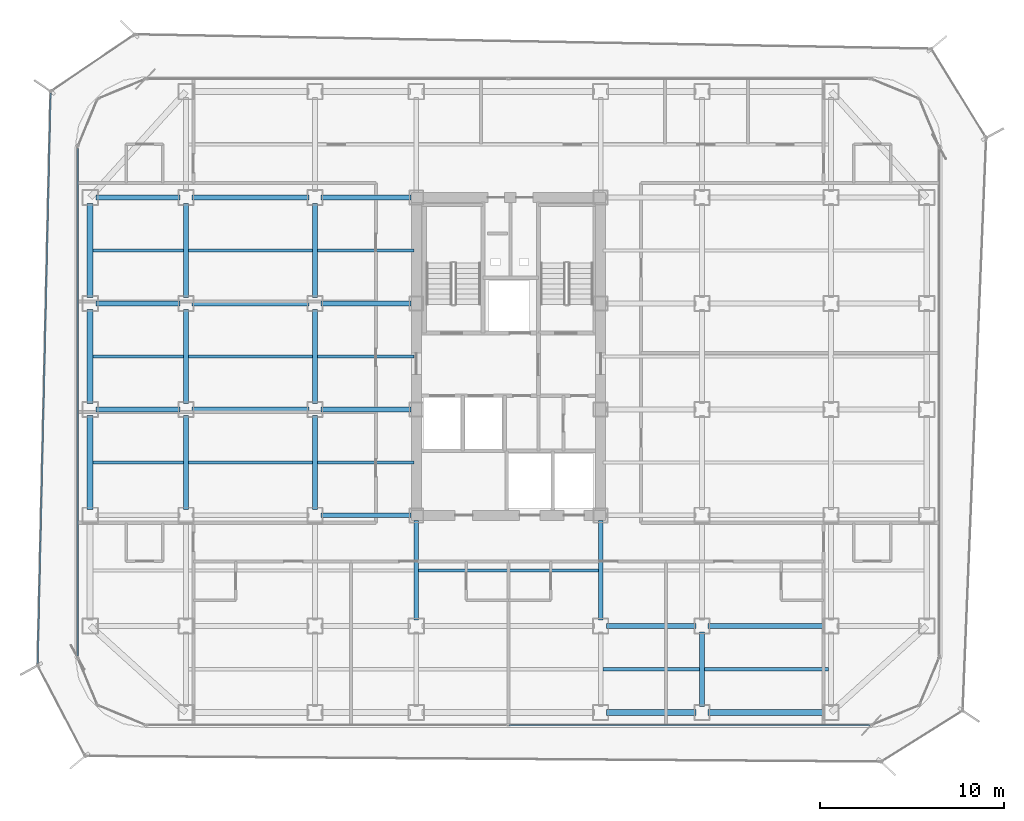
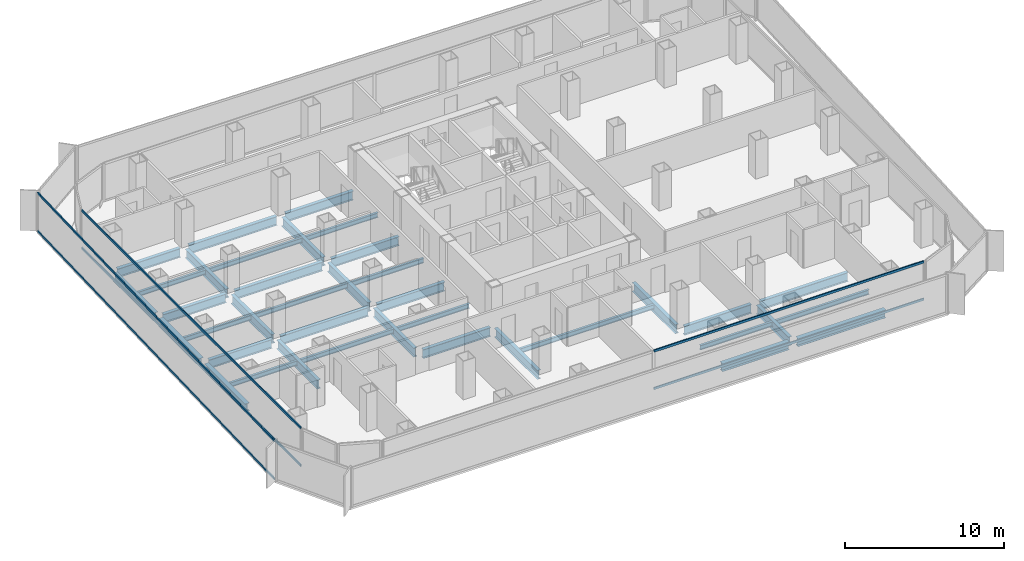
# One storey, part 5 of 21: 38 beams, 6 members, 3 elements without a shape of their own.
"""IFC4 building model written with IfcOpenShell, lengths in metres."""

from ifc_helpers import new_model, si_unit, direction, frame, origin, origin_2d, place, context, subcontext, project, spatial, hollow_rectangle, i_section, extrude, source, transform, mapped, material, layer, layer_set, material_profile, profile_set, type_object, element, aggregate, save


model = new_model("IFC4")

# Units and contexts
model_context = context("Model", 3, precision=1e-05, world=origin(), true_north=direction((0.0, 1.0)))
body_context = subcontext(model_context, "Body", "Model", "MODEL_VIEW")
ifc_project = project(units=[si_unit("LENGTHUNIT", "METRE"), si_unit("AREAUNIT", "SQUARE_METRE"), si_unit("VOLUMEUNIT", "CUBIC_METRE"), si_unit("PLANEANGLEUNIT", "RADIAN"), si_unit("MASSUNIT", "GRAM", prefix="KILO")], contexts=[model_context])

# Site, building, storey
site_placement = place(None, origin())
site = spatial("IfcSite", under=ifc_project, at=site_placement, CompositionType="ELEMENT")
building_placement = place(site_placement, origin())
building = spatial("IfcBuilding", under=site, at=building_placement, Name="Kolveth Station Tower", CompositionType="ELEMENT")
storey_placement = place(building_placement, frame((0.0, 0.0, 105.5)))
storey = spatial("IfcBuildingStorey", under=building, at=storey_placement, Name="L28", CompositionType="ELEMENT", Elevation=105.5)

# Beams
ifc_material_1 = material(Name="Steel S355", Category="steel")
ifc_material_profile_1 = material_profile(ifc_material_1, i_section(OverallWidth=0.323974609375, OverallDepth=0.611083984375, WebThickness=0.0126953125, FlangeThickness=0.01904296875, at=origin_2d()), Name="W610x155")
ifc_profile_set_1 = profile_set([ifc_material_profile_1], Name="Steel S355")
beam_type_1 = type_object("IfcBeamType", Name="Beam_SP2", PredefinedType="SPANDREL", material=ifc_profile_set_1)
shared_shape_1 = source(origin(), body_context, "Body", "SweptSolid", [
    extrude(i_section(OverallWidth=0.323974609375, OverallDepth=0.611083984375, WebThickness=0.0126953125, FlangeThickness=0.01904296875, at=origin_2d()), origin(), (0.0, 0.0, 1.0), 6.35986328125),
])
beam_1_placement = place(storey_placement, frame((34.320068359375, 0.800048828125, -0.555419921875), z_axis=(1.0, 0.0, 0.0), x_axis=(0.0, 1.0, 0.0)))
element("IfcBeam", 1, at=beam_1_placement, inside=storey, type_object=beam_type_1, Name="L28 Perimeter Spandrel BM-L28-PS-5", PredefinedType="SPANDREL", context=body_context, shape_type="MappedRepresentation", body=[
    mapped(shared_shape_1, transform((0.0, 0.0, 0.0), x_axis=(1.0, 0.0, 0.0), y_axis=(0.0, 1.0, 0.0), z_axis=(0.0, 0.0, 1.0), scale=1.0)),
])
shared_shape_2 = source(origin(), body_context, "Body", "SweptSolid", [
    extrude(i_section(OverallWidth=0.323974609375, OverallDepth=0.611083984375, WebThickness=0.0126953125, FlangeThickness=0.01904296875, at=origin_2d()), origin(), (0.0, 0.0, 1.0), 4.85986328125),
])
beam_2_placement = place(storey_placement, frame((28.820068359375, 0.800048828125, -0.555419921875), z_axis=(1.0, 0.0, 0.0), x_axis=(0.0, 1.0, 0.0)))
element("IfcBeam", 2, at=beam_2_placement, inside=storey, type_object=beam_type_1, Name="L28 Perimeter Spandrel BM-L28-PS-4", PredefinedType="SPANDREL", context=body_context, shape_type="MappedRepresentation", body=[
    mapped(shared_shape_2, transform((0.0, 0.0, 0.0), x_axis=(1.0, 0.0, 0.0), y_axis=(0.0, 1.0, 0.0), z_axis=(0.0, 0.0, 1.0), scale=1.0)),
])
shared_shape_3 = source(origin(), body_context, "Body", "SweptSolid", [
    extrude(i_section(OverallWidth=0.323974609375, OverallDepth=0.611083984375, WebThickness=0.0126953125, FlangeThickness=0.01904296875, at=origin_2d()), origin(), (0.0, 0.0, 1.0), 5.10986328125),
])
for number, where, z_axis, x_axis, name in (
    (3, (0.800048828125, 11.820068359375, -0.555419921875), (0.0, 1.0, 0.0), (-1.0, 0.0, 0.0), "L28 Perimeter Spandrel BM-L28-PW-2"),
    (4, (0.800048828125, 17.570068359375, -0.555419921875), (0.0, 1.0, 0.0), (-1.0, 0.0, 0.0), "L28 Perimeter Spandrel BM-L28-PW-3"),
    (5, (0.800048828125, 23.320068359375, -0.555419921875), (0.0, 1.0, 0.0), (-1.0, 0.0, 0.0), "L28 Perimeter Spandrel BM-L28-PW-4"),
):
    element("IfcBeam", number, at=place(storey_placement, frame(where, z_axis=z_axis, x_axis=x_axis)), inside=storey, type_object=beam_type_1, Name=name, PredefinedType="SPANDREL", context=body_context, shape_type="MappedRepresentation", body=[
        mapped(shared_shape_3, transform((0.0, 0.0, 0.0), x_axis=(1.0, 0.0, 0.0), y_axis=(0.0, 1.0, 0.0), z_axis=(0.0, 0.0, 1.0), scale=1.0)),
    ])
ifc_material_profile_2 = material_profile(ifc_material_1, i_section(OverallWidth=0.25390625, OverallDepth=0.68798828125, WebThickness=0.01318359375, FlangeThickness=0.02099609375, at=origin_2d()), Name="W690x152")
ifc_profile_set_2 = profile_set([ifc_material_profile_2], Name="Steel S355")
beam_type_2 = type_object("IfcBeamType", Name="Beam_B4", PredefinedType="BEAM", material=ifc_profile_set_2)
shared_shape_4 = source(origin(), body_context, "Body", "SweptSolid", [
    extrude(i_section(OverallWidth=0.25390625, OverallDepth=0.68798828125, WebThickness=0.01318359375, FlangeThickness=0.02099609375, at=origin_2d()), origin(), (0.0, 0.0, 1.0), 4.559814453125),
])
for number, where, z_axis, x_axis, name in (
    (6, (1.1201171875, 17.25, -0.593994140625), (1.0, 0.0, 0.0), (0.0, 1.0, 0.0), "L28 Primary Girder BM-L28-GY172-1"),
    (7, (1.1201171875, 23.0, -0.593994140625), (1.0, 0.0, 0.0), (0.0, 1.0, 0.0), "L28 Primary Girder BM-L28-GY230-1"),
    (8, (1.1201171875, 28.75, -0.593994140625), (1.0, 0.0, 0.0), (0.0, 1.0, 0.0), "L28 Primary Girder BM-L28-GY287-1"),
):
    element("IfcBeam", number, at=place(storey_placement, frame(where, z_axis=z_axis, x_axis=x_axis)), inside=storey, type_object=beam_type_2, Name=name, PredefinedType="BEAM", context=body_context, shape_type="MappedRepresentation", body=[
        mapped(shared_shape_4, transform((0.0, 0.0, 0.0), x_axis=(1.0, 0.0, 0.0), y_axis=(0.0, 1.0, 0.0), z_axis=(0.0, 0.0, 1.0), scale=1.0)),
    ])
shared_shape_5 = source(origin(), body_context, "Body", "SweptSolid", [
    extrude(i_section(OverallWidth=0.25390625, OverallDepth=0.68798828125, WebThickness=0.01318359375, FlangeThickness=0.02099609375, at=origin_2d()), origin(), (0.0, 0.0, 1.0), 6.35986328125),
])
for number, where, z_axis, x_axis, name in (
    (9, (34.320068359375, 5.5, -0.593994140625), (1.0, 0.0, 0.0), (0.0, 1.0, 0.0), "L28 Primary Girder BM-L28-GY55-6"),
    (10, (6.320068359375, 17.25, -0.593994140625), (1.0, 0.0, 0.0), (0.0, 1.0, 0.0), "L28 Primary Girder BM-L28-GY172-2"),
    (11, (6.320068359375, 23.0, -0.593994140625), (1.0, 0.0, 0.0), (0.0, 1.0, 0.0), "L28 Primary Girder BM-L28-GY230-2"),
    (12, (6.320068359375, 28.75, -0.593994140625), (1.0, 0.0, 0.0), (0.0, 1.0, 0.0), "L28 Primary Girder BM-L28-GY287-2"),
):
    element("IfcBeam", number, at=place(storey_placement, frame(where, z_axis=z_axis, x_axis=x_axis)), inside=storey, type_object=beam_type_2, Name=name, PredefinedType="BEAM", context=body_context, shape_type="MappedRepresentation", body=[
        mapped(shared_shape_5, transform((0.0, 0.0, 0.0), x_axis=(1.0, 0.0, 0.0), y_axis=(0.0, 1.0, 0.0), z_axis=(0.0, 0.0, 1.0), scale=1.0)),
    ])
shared_shape_6 = source(origin(), body_context, "Body", "SweptSolid", [
    extrude(i_section(OverallWidth=0.25390625, OverallDepth=0.68798828125, WebThickness=0.01318359375, FlangeThickness=0.02099609375, at=origin_2d()), origin(), (0.0, 0.0, 1.0), 4.85986328125),
])
beam_3_placement = place(storey_placement, frame((28.820068359375, 5.5, -0.593994140625), z_axis=(1.0, 0.0, 0.0), x_axis=(0.0, 1.0, 0.0)))
element("IfcBeam", 13, at=beam_3_placement, inside=storey, type_object=beam_type_2, Name="L28 Primary Girder BM-L28-GY55-5", PredefinedType="BEAM", context=body_context, shape_type="MappedRepresentation", body=[
    mapped(shared_shape_6, transform((0.0, 0.0, 0.0), x_axis=(1.0, 0.0, 0.0), y_axis=(0.0, 1.0, 0.0), z_axis=(0.0, 0.0, 1.0), scale=1.0)),
])
shared_shape_7 = source(origin(), body_context, "Body", "SweptSolid", [
    extrude(i_section(OverallWidth=0.25390625, OverallDepth=0.68798828125, WebThickness=0.01318359375, FlangeThickness=0.02099609375, at=origin_2d()), origin(), (0.0, 0.0, 1.0), 4.89990234375),
])
for number, where, z_axis, x_axis, name in (
    (14, (13.320068359375, 11.5, -0.593994140625), (1.0, 0.0, 0.0), (0.0, 1.0, 0.0), "L28 Primary Girder BM-L28-GY115-3"),
    (15, (13.320068359375, 17.25, -0.593994140625), (1.0, 0.0, 0.0), (0.0, 1.0, 0.0), "L28 Primary Girder BM-L28-GY172-3"),
    (16, (13.320068359375, 23.0, -0.593994140625), (1.0, 0.0, 0.0), (0.0, 1.0, 0.0), "L28 Primary Girder BM-L28-GY230-3"),
    (17, (13.320068359375, 28.75, -0.593994140625), (1.0, 0.0, 0.0), (0.0, 1.0, 0.0), "L28 Primary Girder BM-L28-GY287-3"),
):
    element("IfcBeam", number, at=place(storey_placement, frame(where, z_axis=z_axis, x_axis=x_axis)), inside=storey, type_object=beam_type_2, Name=name, PredefinedType="BEAM", context=body_context, shape_type="MappedRepresentation", body=[
        mapped(shared_shape_7, transform((0.0, 0.0, 0.0), x_axis=(1.0, 0.0, 0.0), y_axis=(0.0, 1.0, 0.0), z_axis=(0.0, 0.0, 1.0), scale=1.0)),
    ])
shared_shape_8 = source(origin(), body_context, "Body", "SweptSolid", [
    extrude(i_section(OverallWidth=0.25390625, OverallDepth=0.68798828125, WebThickness=0.01318359375, FlangeThickness=0.02099609375, at=origin_2d()), origin(), (0.0, 0.0, 1.0), 4.059814453125),
])
beam_4_placement = place(storey_placement, frame((34.0, 1.1201171875, -0.593994140625), z_axis=(0.0, 1.0, 0.0), x_axis=(-1.0, 0.0, 0.0)))
element("IfcBeam", 18, at=beam_4_placement, inside=storey, type_object=beam_type_2, Name="L28 Primary Girder BM-L28-GX340-1", PredefinedType="BEAM", context=body_context, shape_type="MappedRepresentation", body=[
    mapped(shared_shape_8, transform((0.0, 0.0, 0.0), x_axis=(1.0, 0.0, 0.0), y_axis=(0.0, 1.0, 0.0), z_axis=(0.0, 0.0, 1.0), scale=1.0)),
])
shared_shape_9 = source(origin(), body_context, "Body", "SweptSolid", [
    extrude(i_section(OverallWidth=0.25390625, OverallDepth=0.68798828125, WebThickness=0.01318359375, FlangeThickness=0.02099609375, at=origin_2d()), origin(), (0.0, 0.0, 1.0), 5.10986328125),
])
for number, where, z_axis, x_axis, name in (
    (19, (6.0, 11.820068359375, -0.593994140625), (0.0, 1.0, 0.0), (-1.0, 0.0, 0.0), "L28 Primary Girder BM-L28-GX60-3"),
    (20, (6.0, 17.570068359375, -0.593994140625), (0.0, 1.0, 0.0), (-1.0, 0.0, 0.0), "L28 Primary Girder BM-L28-GX60-4"),
    (21, (6.0, 23.320068359375, -0.593994140625), (0.0, 1.0, 0.0), (-1.0, 0.0, 0.0), "L28 Primary Girder BM-L28-GX60-5"),
    (22, (13.0, 11.820068359375, -0.593994140625), (0.0, 1.0, 0.0), (-1.0, 0.0, 0.0), "L28 Primary Girder BM-L28-GX130-3"),
    (23, (13.0, 17.570068359375, -0.593994140625), (0.0, 1.0, 0.0), (-1.0, 0.0, 0.0), "L28 Primary Girder BM-L28-GX130-4"),
    (24, (13.0, 23.320068359375, -0.593994140625), (0.0, 1.0, 0.0), (-1.0, 0.0, 0.0), "L28 Primary Girder BM-L28-GX130-5"),
):
    element("IfcBeam", number, at=place(storey_placement, frame(where, z_axis=z_axis, x_axis=x_axis)), inside=storey, type_object=beam_type_2, Name=name, PredefinedType="BEAM", context=body_context, shape_type="MappedRepresentation", body=[
        mapped(shared_shape_9, transform((0.0, 0.0, 0.0), x_axis=(1.0, 0.0, 0.0), y_axis=(0.0, 1.0, 0.0), z_axis=(0.0, 0.0, 1.0), scale=1.0)),
    ])
shared_shape_10 = source(origin(), body_context, "Body", "SweptSolid", [
    extrude(i_section(OverallWidth=0.25390625, OverallDepth=0.68798828125, WebThickness=0.01318359375, FlangeThickness=0.02099609375, at=origin_2d()), origin(), (0.0, 0.0, 1.0), 5.39990234375),
])
for number, where, z_axis, x_axis, name in (
    (25, (18.5, 5.820068359375, -0.593994140625), (0.0, 1.0, 0.0), (-1.0, 0.0, 0.0), "L28 Primary Girder BM-L28-GX185-2"),
    (26, (28.5, 5.820068359375, -0.593994140625), (0.0, 1.0, 0.0), (-1.0, 0.0, 0.0), "L28 Primary Girder BM-L28-GX285-2"),
):
    element("IfcBeam", number, at=place(storey_placement, frame(where, z_axis=z_axis, x_axis=x_axis)), inside=storey, type_object=beam_type_2, Name=name, PredefinedType="BEAM", context=body_context, shape_type="MappedRepresentation", body=[
        mapped(shared_shape_10, transform((0.0, 0.0, 0.0), x_axis=(1.0, 0.0, 0.0), y_axis=(0.0, 1.0, 0.0), z_axis=(0.0, 0.0, 1.0), scale=1.0)),
    ])
ifc_material_profile_3 = material_profile(ifc_material_1, i_section(OverallWidth=0.1708984375, OverallDepth=0.35205078125, WebThickness=0.0068359375, FlangeThickness=0.009765625, at=origin_2d()), Name="W360x44")
ifc_profile_set_3 = profile_set([ifc_material_profile_3], Name="Steel S355")
beam_type_3 = type_object("IfcBeamType", Name="Beam_J2", PredefinedType="JOIST", material=ifc_profile_set_3)
shared_shape_11 = source(origin(), body_context, "Body", "SweptSolid", [
    extrude(i_section(OverallWidth=0.1708984375, OverallDepth=0.35205078125, WebThickness=0.0068359375, FlangeThickness=0.009765625, at=origin_2d()), origin(), (0.0, 0.0, 1.0), 4.9150390625),
])
for number, where, z_axis, x_axis, name in (
    (27, (0.9599609375, 14.375, -0.426025390625), (1.0, 0.0, 0.0), (0.0, 1.0, 0.0), "L28 Secondary Joist JST-L28-1-3"),
    (28, (0.9599609375, 20.125, -0.426025390625), (1.0, 0.0, 0.0), (0.0, 1.0, 0.0), "L28 Secondary Joist JST-L28-1-4"),
    (29, (0.9599609375, 25.875, -0.426025390625), (1.0, 0.0, 0.0), (0.0, 1.0, 0.0), "L28 Secondary Joist JST-L28-1-5"),
):
    element("IfcBeam", number, at=place(storey_placement, frame(where, z_axis=z_axis, x_axis=x_axis)), inside=storey, type_object=beam_type_3, Name=name, PredefinedType="JOIST", context=body_context, shape_type="MappedRepresentation", body=[
        mapped(shared_shape_11, transform((0.0, 0.0, 0.0), x_axis=(1.0, 0.0, 0.0), y_axis=(0.0, 1.0, 0.0), z_axis=(0.0, 0.0, 1.0), scale=1.0)),
    ])
shared_shape_12 = source(origin(), body_context, "Body", "SweptSolid", [
    extrude(i_section(OverallWidth=0.1708984375, OverallDepth=0.35205078125, WebThickness=0.0068359375, FlangeThickness=0.009765625, at=origin_2d()), origin(), (0.0, 0.0, 1.0), 6.75),
])
for number, where, z_axis, x_axis, name in (
    (30, (6.125, 14.375, -0.426025390625), (1.0, 0.0, 0.0), (0.0, 1.0, 0.0), "L28 Secondary Joist JST-L28-2-3"),
    (31, (6.125, 20.125, -0.426025390625), (1.0, 0.0, 0.0), (0.0, 1.0, 0.0), "L28 Secondary Joist JST-L28-2-4"),
    (32, (6.125, 25.875, -0.426025390625), (1.0, 0.0, 0.0), (0.0, 1.0, 0.0), "L28 Secondary Joist JST-L28-2-5"),
    (33, (34.125, 3.14990234375, -0.426025390625), (1.0, 0.0, 0.0), (0.0, 1.0, 0.0), "L28 Secondary Joist JST-L28-6-1"),
):
    element("IfcBeam", number, at=place(storey_placement, frame(where, z_axis=z_axis, x_axis=x_axis)), inside=storey, type_object=beam_type_3, Name=name, PredefinedType="JOIST", context=body_context, shape_type="MappedRepresentation", body=[
        mapped(shared_shape_12, transform((0.0, 0.0, 0.0), x_axis=(1.0, 0.0, 0.0), y_axis=(0.0, 1.0, 0.0), z_axis=(0.0, 0.0, 1.0), scale=1.0)),
    ])
shared_shape_13 = source(origin(), body_context, "Body", "SweptSolid", [
    extrude(i_section(OverallWidth=0.1708984375, OverallDepth=0.35205078125, WebThickness=0.0068359375, FlangeThickness=0.009765625, at=origin_2d()), origin(), (0.0, 0.0, 1.0), 5.25),
])
for number, where, z_axis, x_axis, name in (
    (34, (13.125, 14.375, -0.426025390625), (1.0, 0.0, 0.0), (0.0, 1.0, 0.0), "L28 Secondary Joist JST-L28-3-3"),
    (35, (13.125, 20.125, -0.426025390625), (1.0, 0.0, 0.0), (0.0, 1.0, 0.0), "L28 Secondary Joist JST-L28-3-4"),
    (36, (13.125, 25.875, -0.426025390625), (1.0, 0.0, 0.0), (0.0, 1.0, 0.0), "L28 Secondary Joist JST-L28-3-5"),
    (37, (28.625, 3.14990234375, -0.426025390625), (1.0, 0.0, 0.0), (0.0, 1.0, 0.0), "L28 Secondary Joist JST-L28-5-1"),
):
    element("IfcBeam", number, at=place(storey_placement, frame(where, z_axis=z_axis, x_axis=x_axis)), inside=storey, type_object=beam_type_3, Name=name, PredefinedType="JOIST", context=body_context, shape_type="MappedRepresentation", body=[
        mapped(shared_shape_13, transform((0.0, 0.0, 0.0), x_axis=(1.0, 0.0, 0.0), y_axis=(0.0, 1.0, 0.0), z_axis=(0.0, 0.0, 1.0), scale=1.0)),
    ])
shared_shape_14 = source(origin(), body_context, "Body", "SweptSolid", [
    extrude(i_section(OverallWidth=0.1708984375, OverallDepth=0.35205078125, WebThickness=0.0068359375, FlangeThickness=0.009765625, at=origin_2d()), origin(), (0.0, 0.0, 1.0), 9.75),
])
beam_5_placement = place(storey_placement, frame((18.625, 8.5, -0.426025390625), z_axis=(1.0, 0.0, 0.0), x_axis=(0.0, 1.0, 0.0)))
element("IfcBeam", 38, at=beam_5_placement, inside=storey, type_object=beam_type_3, Name="L28 Secondary Joist JST-L28-4-2", PredefinedType="JOIST", context=body_context, shape_type="MappedRepresentation", body=[
    mapped(shared_shape_14, transform((0.0, 0.0, 0.0), x_axis=(1.0, 0.0, 0.0), y_axis=(0.0, 1.0, 0.0), z_axis=(0.0, 0.0, 1.0), scale=1.0)),
])

# Curtain wall, members
ifc_material_2 = material(Name="Aluminium 6063-T6 and low-E dark glass", Category="aluminium")
ifc_layer_1 = layer(ifc_material_2, 0.18994140625)
ifc_layer_set_1 = layer_set([ifc_layer_1], Name="Aluminium 6063-T6 and low-E dark glass")
curtain_wall_type_1 = type_object("IfcCurtainWallType", Name="CurtainWall_CW-Z2", PredefinedType="NOTDEFINED", material=ifc_layer_set_1)
curtain_wall_1_placement = place(storey_placement, origin())
curtain_wall_1 = element("IfcCurtainWall", 39, at=curtain_wall_1_placement, inside=storey, type_object=curtain_wall_type_1, Name="L28 Inner Thermal Curtain Wall 9", PredefinedType="NOTDEFINED")
ifc_material_3 = material(Name="Black anodized aluminium 6063-T6", Category="aluminium")
ifc_material_profile_4 = material_profile(ifc_material_3, hollow_rectangle(XDim=0.080078125, YDim=0.169921875, WallThickness=0.0048828125, at=origin_2d()), Name="ALU-80x170x5")
ifc_profile_set_4 = profile_set([ifc_material_profile_4], Name="Black anodized aluminium 6063-T6")
member_type_1 = type_object("IfcMemberType", Name="Transom_TR2", PredefinedType="USERDEFINED", material=ifc_profile_set_4)
shared_shape_15 = source(origin(), body_context, "Body", "SweptSolid", [
    extrude(hollow_rectangle(XDim=0.080078125, YDim=0.169921875, WallThickness=0.0048828125, at=origin_2d()), origin(), (0.0, 0.0, 1.0), 27.5400390625),
])
member_1_placement = place(storey_placement, frame((0.1201171875, 31.419921875, 0.0400390625), z_axis=(0.0, -1.0, 0.0), x_axis=(1.0, 0.0, 0.0)))
member_1 = element("IfcMember", 40, at=member_1_placement, type_object=member_type_1, Name="CW-Z2 transom 1.1", ObjectType="TRANSOM", PredefinedType="USERDEFINED", context=body_context, shape_type="MappedRepresentation", body=[
    mapped(shared_shape_15, transform((0.0, 0.0, 0.0), x_axis=(1.0, 0.0, 0.0), y_axis=(0.0, 1.0, 0.0), z_axis=(0.0, 0.0, 1.0), scale=1.0)),
])
member_2_placement = place(storey_placement, frame((0.1201171875, 31.419921875, 2.909912109375), z_axis=(0.0, -1.0, 0.0), x_axis=(1.0, 0.0, 0.0)))
member_2 = element("IfcMember", 41, at=member_2_placement, type_object=member_type_1, Name="CW-Z2 transom 1.2", ObjectType="TRANSOM", PredefinedType="USERDEFINED", context=body_context, shape_type="MappedRepresentation", body=[
    mapped(shared_shape_15, transform((0.0, 0.0, 0.0), x_axis=(1.0, 0.0, 0.0), y_axis=(0.0, 1.0, 0.0), z_axis=(0.0, 0.0, 1.0), scale=1.0)),
])
aggregate(curtain_wall_1, [member_1, member_2])

curtain_wall_2_placement = place(storey_placement, origin())
curtain_wall_2 = element("IfcCurtainWall", 42, at=curtain_wall_2_placement, inside=storey, type_object=curtain_wall_type_1, Name="L28 Inner Thermal Curtain Wall 12", PredefinedType="NOTDEFINED")
shared_shape_16 = source(origin(), body_context, "Body", "SweptSolid", [
    extrude(hollow_rectangle(XDim=0.080078125, YDim=0.169921875, WallThickness=0.0048828125, at=origin_2d()), origin(), (0.0, 0.0, 1.0), 19.580078125),
])
member_3_placement = place(storey_placement, frame((23.5400390625, 0.1201171875, 0.0400390625), z_axis=(1.0, 0.0, 0.0), x_axis=(0.0, 1.0, 0.0)))
member_3 = element("IfcMember", 43, at=member_3_placement, type_object=member_type_1, Name="CW-Z2 transom 2.1", ObjectType="TRANSOM", PredefinedType="USERDEFINED", context=body_context, shape_type="MappedRepresentation", body=[
    mapped(shared_shape_16, transform((0.0, 0.0, 0.0), x_axis=(1.0, 0.0, 0.0), y_axis=(0.0, 1.0, 0.0), z_axis=(0.0, 0.0, 1.0), scale=1.0)),
])
member_4_placement = place(storey_placement, frame((23.5400390625, 0.1201171875, 2.909912109375), z_axis=(1.0, 0.0, 0.0), x_axis=(0.0, 1.0, 0.0)))
member_4 = element("IfcMember", 44, at=member_4_placement, type_object=member_type_1, Name="CW-Z2 transom 2.2", ObjectType="TRANSOM", PredefinedType="USERDEFINED", context=body_context, shape_type="MappedRepresentation", body=[
    mapped(shared_shape_16, transform((0.0, 0.0, 0.0), x_axis=(1.0, 0.0, 0.0), y_axis=(0.0, 1.0, 0.0), z_axis=(0.0, 0.0, 1.0), scale=1.0)),
])
aggregate(curtain_wall_2, [member_3, member_4])

ifc_material_4 = material(Name="Black anodized aluminium 6063-T6 and dark solar glass", Category="aluminium")
ifc_layer_2 = layer(ifc_material_4, 0.159912109375)
ifc_layer_set_2 = layer_set([ifc_layer_2], Name="Black anodized aluminium 6063-T6 and dark solar glass")
curtain_wall_type_2 = type_object("IfcCurtainWallType", Name="OUTER SKIN CW-OS", PredefinedType="NOTDEFINED", material=ifc_layer_set_2)
curtain_wall_3_placement = place(storey_placement, origin())
curtain_wall_3 = element("IfcCurtainWall", 45, at=curtain_wall_3_placement, inside=storey, type_object=curtain_wall_type_2, Name="L28 Outer Ventilated Skin Curtain Wall 6", PredefinedType="NOTDEFINED")
ifc_material_profile_5 = material_profile(ifc_material_3, hollow_rectangle(XDim=0.080078125, YDim=0.14990234375, WallThickness=0.0048828125, at=origin_2d()), Name="ALU-80x150x5")
ifc_profile_set_5 = profile_set([ifc_material_profile_5], Name="Black anodized aluminium 6063-T6")
member_type_2 = type_object("IfcMemberType", Name="Transom_TR-OS", PredefinedType="USERDEFINED", material=ifc_profile_set_5)
shared_shape_17 = source(origin(), body_context, "Body", "SweptSolid", [
    extrude(hollow_rectangle(XDim=0.080078125, YDim=0.14990234375, WallThickness=0.0048828125, at=origin_2d()), origin(), (0.0, 0.0, 1.0), 30.9736328125),
])
member_5_placement = place(storey_placement, frame((-1.34716796875, 34.418212890625, 0.0400390625), z_axis=(-0.022590341962, -0.999744805663, 0.0), x_axis=(0.999744805663, -0.022590341962, 0.0)))
member_5 = element("IfcMember", 46, at=member_5_placement, type_object=member_type_2, Name="CW-OS transom 1.1", ObjectType="TRANSOM", PredefinedType="USERDEFINED", context=body_context, shape_type="MappedRepresentation", body=[
    mapped(shared_shape_17, transform((0.0, 0.0, 0.0), x_axis=(1.0, 0.0, 0.0), y_axis=(0.0, 1.0, 0.0), z_axis=(0.0, 0.0, 1.0), scale=1.0)),
])
member_6_placement = place(storey_placement, frame((-1.34716796875, 34.418212890625, 2.949951171875), z_axis=(-0.022590341962, -0.999744805663, 0.0), x_axis=(0.999744805663, -0.022590341962, 0.0)))
member_6 = element("IfcMember", 47, at=member_6_placement, type_object=member_type_2, Name="CW-OS transom 1.2", ObjectType="TRANSOM", PredefinedType="USERDEFINED", context=body_context, shape_type="MappedRepresentation", body=[
    mapped(shared_shape_17, transform((0.0, 0.0, 0.0), x_axis=(1.0, 0.0, 0.0), y_axis=(0.0, 1.0, 0.0), z_axis=(0.0, 0.0, 1.0), scale=1.0)),
])
aggregate(curtain_wall_3, [member_5, member_6])

save(model, "model.ifc")
